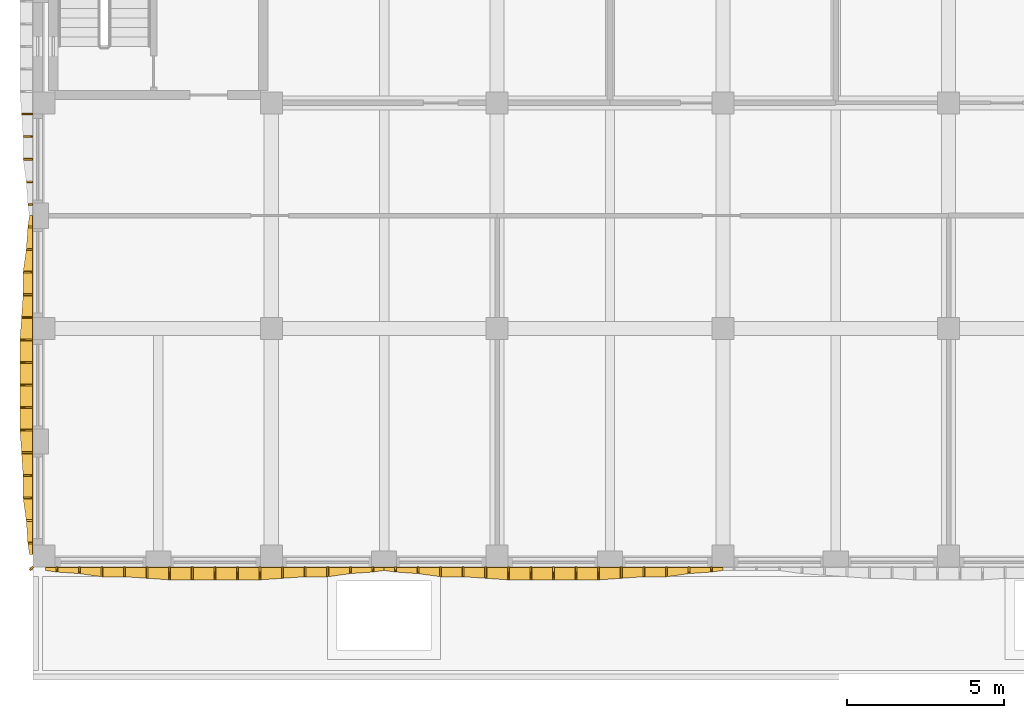
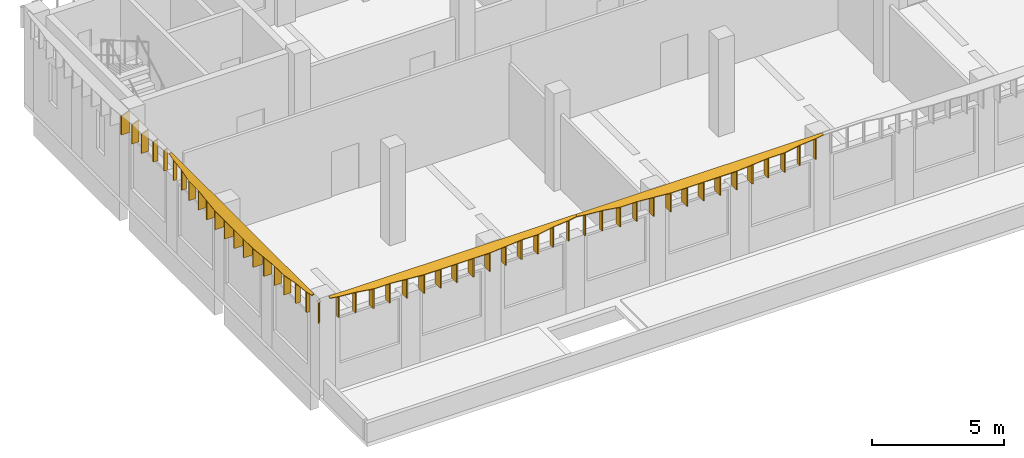
# One storey, part 44 of 59: 54 shading devices.
"""IFC4 building model written with IfcOpenShell, lengths in metres."""

from ifc_helpers import new_model, si_unit, direction, frame, origin, place, context, subcontext, project, spatial, polyline, outline, extrude, material, layer, layer_set, type_object, element, save


model = new_model("IFC4")

# Units and contexts
model_context = context("Model", 3, precision=1e-05, world=origin(), true_north=direction((0.0, 1.0)))
body_context = subcontext(model_context, "Body", "Model", "MODEL_VIEW")
ifc_project = project(units=[si_unit("LENGTHUNIT", "METRE"), si_unit("AREAUNIT", "SQUARE_METRE"), si_unit("VOLUMEUNIT", "CUBIC_METRE"), si_unit("PLANEANGLEUNIT", "RADIAN"), si_unit("MASSUNIT", "GRAM", prefix="KILO")], contexts=[model_context])

# Site, building, storey
site_placement = place(None, origin())
site = spatial("IfcSite", under=ifc_project, at=site_placement, CompositionType="ELEMENT")
building_placement = place(site_placement, origin())
building = spatial("IfcBuilding", under=site, at=building_placement, Name="Ussher Court Research Institute", CompositionType="ELEMENT")
storey_placement = place(building_placement, frame((0.0, 0.0, 5.39990234375)))
storey = spatial("IfcBuildingStorey", under=building, at=storey_placement, Name="L01", CompositionType="ELEMENT", Elevation=5.39990234375)

# Shading devices
ifc_material_1 = material(Name="Bronze anodised aluminium", Category="aluminium")
ifc_layer_1 = layer(ifc_material_1, 0.050048828125)
ifc_layer_set_1 = layer_set([ifc_layer_1], Name="Bronze anodised aluminium")
shading_device_type_1 = type_object("IfcShadingDeviceType", Name="Brim blade 150 mm deep 1000 mm high canted 20 deg dry", PredefinedType="USERDEFINED", material=ifc_layer_set_1)
for number, where, z_axis, x_axis, name in (
    (1, (24.239990234375, 68.39990234375, 3.4501953125), (0.0, 0.0, 1.0), (0.0, -1.0, 0.0), "Brim blade BS16 L01"),
    (2, (14.159912109375, 68.39990234375, 3.4501953125), (0.0, 0.0, 1.0), (0.0, -1.0, 0.0), "Brim blade BS16 L01"),
    (3, (13.43994140625, 68.39990234375, 3.4501953125), (0.0, 0.0, 1.0), (0.0, -1.0, 0.0), "Brim blade BS16 L01"),
    (4, (3.360107421875, 68.39990234375, 3.4501953125), (0.0, 0.0, 1.0), (0.0, -1.0, 0.0), "Brim blade BS16 L01"),
):
    element("IfcShadingDevice", number, at=place(storey_placement, frame(where, z_axis=z_axis, x_axis=x_axis)), inside=storey, type_object=shading_device_type_1, Name=name, ObjectType="BLADE", PredefinedType="USERDEFINED", context=body_context, shape_type="SweptSolid", body=[
        extrude(outline(polyline([(0.0, 0.0), (0.14990234375, 0.0), (0.14990234375, 0.9453125), (0.0, 1.0), (0.0, 0.0)])), frame((0.0, 0.02490234375, 0.0), z_axis=(0.0, -1.0, 0.0), x_axis=(1.0, 0.0, 0.0)), (0.0, 0.0, 1.0), 0.050048828125),
    ])
for number, where, z_axis, x_axis, name in (
    (5, (2.60009765625, 69.159912109375, 3.4501953125), (0.0, 0.0, 1.0), (-1.0, 0.0, 0.0), "Brim blade BS16 L01"),
    (6, (2.60009765625, 79.239990234375, 3.4501953125), (0.0, 0.0, 1.0), (-1.0, 0.0, 0.0), "Brim blade BS16 L01"),
    (7, (2.60009765625, 79.9599609375, 3.4501953125), (0.0, 0.0, 1.0), (-1.0, 0.0, 0.0), "Brim blade BS16 L01"),
):
    element("IfcShadingDevice", number, at=place(storey_placement, frame(where, z_axis=z_axis, x_axis=x_axis)), inside=storey, type_object=shading_device_type_1, Name=name, ObjectType="BLADE", PredefinedType="USERDEFINED", context=body_context, shape_type="SweptSolid", body=[
        extrude(outline(polyline([(0.0, 0.0), (0.150146484375, 0.0), (0.14990234375, 0.9453125), (0.0, 1.0), (0.0, 0.0)])), frame((0.0, 0.02490234375, 0.0), z_axis=(0.0, -1.0, 0.0), x_axis=(1.0, 0.0, 0.0)), (0.0, 0.0, 1.0), 0.050048828125),
    ])
ifc_material_2 = material(Name="Bronze anodised aluminium", Category="aluminium")
ifc_layer_2 = layer(ifc_material_2, 0.050048828125)
ifc_layer_set_2 = layer_set([ifc_layer_2], Name="Bronze anodised aluminium")
shading_device_type_2 = type_object("IfcShadingDeviceType", Name="Brim blade 200 mm deep 1000 mm high canted 20 deg dry", PredefinedType="USERDEFINED", material=ifc_layer_set_2)
for number, where, z_axis, x_axis, name in (
    (8, (23.52001953125, 68.39990234375, 3.4501953125), (0.0, 0.0, 1.0), (0.0, -1.0, 0.0), "Brim blade BS15 L01"),
    (9, (14.8798828125, 68.39990234375, 3.4501953125), (0.0, 0.0, 1.0), (0.0, -1.0, 0.0), "Brim blade BS15 L01"),
    (10, (12.719970703125, 68.39990234375, 3.4501953125), (0.0, 0.0, 1.0), (0.0, -1.0, 0.0), "Brim blade BS15 L01"),
    (11, (4.080078125, 68.39990234375, 3.4501953125), (0.0, 0.0, 1.0), (0.0, -1.0, 0.0), "Brim blade BS15 L01"),
):
    element("IfcShadingDevice", number, at=place(storey_placement, frame(where, z_axis=z_axis, x_axis=x_axis)), inside=storey, type_object=shading_device_type_2, Name=name, ObjectType="BLADE", PredefinedType="USERDEFINED", context=body_context, shape_type="SweptSolid", body=[
        extrude(outline(polyline([(0.0, 0.0), (0.199951171875, 0.0), (0.199951171875, 0.927001953125), (0.0, 1.0), (0.0, 0.0)])), frame((0.0, 0.02490234375, 0.0), z_axis=(0.0, -1.0, 0.0), x_axis=(1.0, 0.0, 0.0)), (0.0, 0.0, 1.0), 0.050048828125),
    ])
for number, where, z_axis, x_axis, name in (
    (12, (2.60009765625, 69.8798828125, 3.4501953125), (0.0, 0.0, 1.0), (-1.0, 0.0, 0.0), "Brim blade BS15 L01"),
    (13, (2.60009765625, 78.52001953125, 3.4501953125), (0.0, 0.0, 1.0), (-1.0, 0.0, 0.0), "Brim blade BS15 L01"),
    (14, (2.60009765625, 80.679931640625, 3.4501953125), (0.0, 0.0, 1.0), (-1.0, 0.0, 0.0), "Brim blade BS15 L01"),
):
    element("IfcShadingDevice", number, at=place(storey_placement, frame(where, z_axis=z_axis, x_axis=x_axis)), inside=storey, type_object=shading_device_type_2, Name=name, ObjectType="BLADE", PredefinedType="USERDEFINED", context=body_context, shape_type="SweptSolid", body=[
        extrude(outline(polyline([(0.0, 0.0), (0.2001953125, 0.0), (0.199951171875, 0.927001953125), (0.0, 1.0), (0.0, 0.0)])), frame((0.0, 0.02490234375, 0.0), z_axis=(0.0, -1.0, 0.0), x_axis=(1.0, 0.0, 0.0)), (0.0, 0.0, 1.0), 0.050048828125),
    ])
ifc_material_3 = material(Name="Bronze anodised aluminium", Category="aluminium")
ifc_layer_3 = layer(ifc_material_3, 0.050048828125)
ifc_layer_set_3 = layer_set([ifc_layer_3], Name="Bronze anodised aluminium")
shading_device_type_3 = type_object("IfcShadingDeviceType", Name="Brim blade 300 mm deep 1000 mm high canted 20 deg dry", PredefinedType="USERDEFINED", material=ifc_layer_set_3)
for number, where, z_axis, x_axis, name in (
    (15, (22.800048828125, 68.39990234375, 3.4501953125), (0.0, 0.0, 1.0), (0.0, -1.0, 0.0), "Brim blade BS13 L01"),
    (16, (22.080078125, 68.39990234375, 3.4501953125), (0.0, 0.0, 1.0), (0.0, -1.0, 0.0), "Brim blade BS13 L01"),
    (17, (16.320068359375, 68.39990234375, 3.4501953125), (0.0, 0.0, 1.0), (0.0, -1.0, 0.0), "Brim blade BS13 L01"),
    (18, (15.60009765625, 68.39990234375, 3.4501953125), (0.0, 0.0, 1.0), (0.0, -1.0, 0.0), "Brim blade BS13 L01"),
    (19, (12.0, 68.39990234375, 3.4501953125), (0.0, 0.0, 1.0), (0.0, -1.0, 0.0), "Brim blade BS13 L01"),
    (20, (11.280029296875, 68.39990234375, 3.4501953125), (0.0, 0.0, 1.0), (0.0, -1.0, 0.0), "Brim blade BS13 L01"),
    (21, (5.52001953125, 68.39990234375, 3.4501953125), (0.0, 0.0, 1.0), (0.0, -1.0, 0.0), "Brim blade BS13 L01"),
    (22, (4.800048828125, 68.39990234375, 3.4501953125), (0.0, 0.0, 1.0), (0.0, -1.0, 0.0), "Brim blade BS13 L01"),
):
    element("IfcShadingDevice", number, at=place(storey_placement, frame(where, z_axis=z_axis, x_axis=x_axis)), inside=storey, type_object=shading_device_type_3, Name=name, ObjectType="BLADE", PredefinedType="USERDEFINED", context=body_context, shape_type="SweptSolid", body=[
        extrude(outline(polyline([(0.0, 0.0), (0.2998046875, 0.0), (0.300048828125, 0.890625), (0.0, 1.0), (0.0, 0.0)])), frame((0.0, 0.02490234375, 0.0), z_axis=(0.0, -1.0, 0.0), x_axis=(1.0, 0.0, 0.0)), (0.0, 0.0, 1.0), 0.050048828125),
    ])
for number, where, z_axis, x_axis, name in (
    (23, (2.60009765625, 70.60009765625, 3.4501953125), (0.0, 0.0, 1.0), (-1.0, 0.0, 0.0), "Brim blade BS13 L01"),
    (24, (2.60009765625, 71.320068359375, 3.4501953125), (0.0, 0.0, 1.0), (-1.0, 0.0, 0.0), "Brim blade BS13 L01"),
    (25, (2.60009765625, 77.080078125, 3.4501953125), (0.0, 0.0, 1.0), (-1.0, 0.0, 0.0), "Brim blade BS13 L01"),
    (26, (2.60009765625, 77.800048828125, 3.4501953125), (0.0, 0.0, 1.0), (-1.0, 0.0, 0.0), "Brim blade BS13 L01"),
    (27, (2.60009765625, 81.39990234375, 3.4501953125), (0.0, 0.0, 1.0), (-1.0, 0.0, 0.0), "Brim blade BS13 L01"),
    (28, (2.60009765625, 82.1201171875, 3.4501953125), (0.0, 0.0, 1.0), (-1.0, 0.0, 0.0), "Brim blade BS13 L01"),
):
    element("IfcShadingDevice", number, at=place(storey_placement, frame(where, z_axis=z_axis, x_axis=x_axis)), inside=storey, type_object=shading_device_type_3, Name=name, ObjectType="BLADE", PredefinedType="USERDEFINED", context=body_context, shape_type="SweptSolid", body=[
        extrude(outline(polyline([(0.0, 0.0), (0.300048828125, 0.0), (0.300048828125, 0.890625), (0.0, 1.0), (0.0, 0.0)])), frame((0.0, 0.02490234375, 0.0), z_axis=(0.0, -1.0, 0.0), x_axis=(1.0, 0.0, 0.0)), (0.0, 0.0, 1.0), 0.050048828125),
    ])
ifc_material_4 = material(Name="Bronze anodised aluminium", Category="aluminium")
ifc_layer_4 = layer(ifc_material_4, 0.050048828125)
ifc_layer_set_4 = layer_set([ifc_layer_4], Name="Bronze anodised aluminium")
shading_device_type_4 = type_object("IfcShadingDeviceType", Name="Brim blade 350 mm deep 1000 mm high canted 20 deg dry", PredefinedType="USERDEFINED", material=ifc_layer_set_4)
for number, where, z_axis, x_axis, name in (
    (29, (21.360107421875, 68.39990234375, 3.4501953125), (0.0, 0.0, 1.0), (0.0, -1.0, 0.0), "Brim blade BS12 L01"),
    (30, (17.0400390625, 68.39990234375, 3.4501953125), (0.0, 0.0, 1.0), (0.0, -1.0, 0.0), "Brim blade BS12 L01"),
    (31, (10.56005859375, 68.39990234375, 3.4501953125), (0.0, 0.0, 1.0), (0.0, -1.0, 0.0), "Brim blade BS12 L01"),
    (32, (6.239990234375, 68.39990234375, 3.4501953125), (0.0, 0.0, 1.0), (0.0, -1.0, 0.0), "Brim blade BS12 L01"),
):
    element("IfcShadingDevice", number, at=place(storey_placement, frame(where, z_axis=z_axis, x_axis=x_axis)), inside=storey, type_object=shading_device_type_4, Name=name, ObjectType="BLADE", PredefinedType="USERDEFINED", context=body_context, shape_type="SweptSolid", body=[
        extrude(outline(polyline([(0.0, 0.0), (0.349853515625, 0.0), (0.35009765625, 0.87255859375), (0.0, 1.0), (0.0, 0.0)])), frame((0.0, 0.02490234375, 0.0), z_axis=(0.0, -1.0, 0.0), x_axis=(1.0, 0.0, 0.0)), (0.0, 0.0, 1.0), 0.050048828125),
    ])
for number, where, z_axis, x_axis, name in (
    (33, (2.60009765625, 72.0400390625, 3.4501953125), (0.0, 0.0, 1.0), (-1.0, 0.0, 0.0), "Brim blade BS12 L01"),
    (34, (2.60009765625, 76.360107421875, 3.4501953125), (0.0, 0.0, 1.0), (-1.0, 0.0, 0.0), "Brim blade BS12 L01"),
    (35, (2.60009765625, 82.840087890625, 3.4501953125), (0.0, 0.0, 1.0), (-1.0, 0.0, 0.0), "Brim blade BS12 L01"),
):
    element("IfcShadingDevice", number, at=place(storey_placement, frame(where, z_axis=z_axis, x_axis=x_axis)), inside=storey, type_object=shading_device_type_4, Name=name, ObjectType="BLADE", PredefinedType="USERDEFINED", context=body_context, shape_type="SweptSolid", body=[
        extrude(outline(polyline([(0.0, 0.0), (0.35009765625, 0.0), (0.35009765625, 0.87255859375), (0.0, 1.0), (0.0, 0.0)])), frame((0.0, 0.02490234375, 0.0), z_axis=(0.0, -1.0, 0.0), x_axis=(1.0, 0.0, 0.0)), (0.0, 0.0, 1.0), 0.050048828125),
    ])
ifc_material_5 = material(Name="Bronze anodised aluminium", Category="aluminium")
ifc_layer_5 = layer(ifc_material_5, 0.050048828125)
ifc_layer_set_5 = layer_set([ifc_layer_5], Name="Bronze anodised aluminium")
shading_device_type_5 = type_object("IfcShadingDeviceType", Name="Brim blade 400 mm deep 1000 mm high canted 20 deg dry", PredefinedType="USERDEFINED", material=ifc_layer_set_5)
for number, where, z_axis, x_axis, name in (
    (36, (20.639892578125, 68.39990234375, 3.4501953125), (0.0, 0.0, 1.0), (0.0, -1.0, 0.0), "Brim blade BS11 L01"),
    (37, (19.919921875, 68.39990234375, 3.4501953125), (0.0, 0.0, 1.0), (0.0, -1.0, 0.0), "Brim blade BS11 L01"),
    (38, (19.199951171875, 68.39990234375, 3.4501953125), (0.0, 0.0, 1.0), (0.0, -1.0, 0.0), "Brim blade BS11 L01"),
    (39, (18.47998046875, 68.39990234375, 3.4501953125), (0.0, 0.0, 1.0), (0.0, -1.0, 0.0), "Brim blade BS11 L01"),
    (40, (17.760009765625, 68.39990234375, 3.4501953125), (0.0, 0.0, 1.0), (0.0, -1.0, 0.0), "Brim blade BS11 L01"),
    (41, (9.840087890625, 68.39990234375, 3.4501953125), (0.0, 0.0, 1.0), (0.0, -1.0, 0.0), "Brim blade BS11 L01"),
    (42, (9.1201171875, 68.39990234375, 3.4501953125), (0.0, 0.0, 1.0), (0.0, -1.0, 0.0), "Brim blade BS11 L01"),
    (43, (8.39990234375, 68.39990234375, 3.4501953125), (0.0, 0.0, 1.0), (0.0, -1.0, 0.0), "Brim blade BS11 L01"),
    (44, (7.679931640625, 68.39990234375, 3.4501953125), (0.0, 0.0, 1.0), (0.0, -1.0, 0.0), "Brim blade BS11 L01"),
    (45, (6.9599609375, 68.39990234375, 3.4501953125), (0.0, 0.0, 1.0), (0.0, -1.0, 0.0), "Brim blade BS11 L01"),
):
    element("IfcShadingDevice", number, at=place(storey_placement, frame(where, z_axis=z_axis, x_axis=x_axis)), inside=storey, type_object=shading_device_type_5, Name=name, ObjectType="BLADE", PredefinedType="USERDEFINED", context=body_context, shape_type="SweptSolid", body=[
        extrude(outline(polyline([(0.0, 0.0), (0.39990234375, 0.0), (0.39990234375, 0.854248046875), (0.0, 1.0), (0.0, 0.0)])), frame((0.0, 0.02490234375, 0.0), z_axis=(0.0, -1.0, 0.0), x_axis=(1.0, 0.0, 0.0)), (0.0, 0.0, 1.0), 0.050048828125),
    ])
for number, where, z_axis, x_axis, name in (
    (46, (2.60009765625, 72.760009765625, 3.4501953125), (0.0, 0.0, 1.0), (-1.0, 0.0, 0.0), "Brim blade BS11 L01"),
    (47, (2.60009765625, 73.47998046875, 3.4501953125), (0.0, 0.0, 1.0), (-1.0, 0.0, 0.0), "Brim blade BS11 L01"),
    (48, (2.60009765625, 74.199951171875, 3.4501953125), (0.0, 0.0, 1.0), (-1.0, 0.0, 0.0), "Brim blade BS11 L01"),
    (49, (2.60009765625, 74.919921875, 3.4501953125), (0.0, 0.0, 1.0), (-1.0, 0.0, 0.0), "Brim blade BS11 L01"),
    (50, (2.60009765625, 75.639892578125, 3.4501953125), (0.0, 0.0, 1.0), (-1.0, 0.0, 0.0), "Brim blade BS11 L01"),
):
    element("IfcShadingDevice", number, at=place(storey_placement, frame(where, z_axis=z_axis, x_axis=x_axis)), inside=storey, type_object=shading_device_type_5, Name=name, ObjectType="BLADE", PredefinedType="USERDEFINED", context=body_context, shape_type="SweptSolid", body=[
        extrude(outline(polyline([(0.0, 0.0), (0.400146484375, 0.0), (0.39990234375, 0.854248046875), (0.0, 1.0), (0.0, 0.0)])), frame((0.0, 0.02490234375, 0.0), z_axis=(0.0, -1.0, 0.0), x_axis=(1.0, 0.0, 0.0)), (0.0, 0.0, 1.0), 0.050048828125),
    ])
ifc_material_6 = material(Name="Bronze anodised aluminium", Category="aluminium")
ifc_layer_6 = layer(ifc_material_6, 0.050048828125)
ifc_layer_set_6 = layer_set([ifc_layer_6], Name="Bronze anodised aluminium")
shading_device_type_6 = type_object("IfcShadingDeviceType", Name="Brim mitre blade 100 mm deep 1000 mm high canted 20 deg dry", PredefinedType="USERDEFINED", material=ifc_layer_set_6)
shading_device_1_placement = place(storey_placement, frame((2.60009765625, 68.39990234375, 3.4501953125), z_axis=(0.0, 0.0, 1.0), x_axis=(-0.707969631694, -0.706242876495, 0.0)))
element("IfcShadingDevice", 51, at=shading_device_1_placement, inside=storey, type_object=shading_device_type_6, Name="Brim mitre blade BS19 L01", ObjectType="BLADE", PredefinedType="USERDEFINED", context=body_context, shape_type="SweptSolid", body=[
    extrude(outline(polyline([(0.0, 0.0), (0.141357421875, 0.0), (0.141357421875, 0.927001953125), (0.0, 1.0), (0.0, 0.0)])), frame((0.0, 0.02490234375, 0.0), z_axis=(0.0, -1.0, 0.0), x_axis=(1.0, 0.0, 0.0)), (0.0, 0.0, 1.0), 0.050048828125),
])
ifc_material_7 = material(Name="Bronze anodised aluminium", Category="aluminium")
ifc_layer_7 = layer(ifc_material_7, 0.0400390625)
ifc_layer_set_7 = layer_set([ifc_layer_7], Name="Bronze anodised aluminium")
shading_device_type_7 = type_object("IfcShadingDeviceType", Name="Brim visor sheet 40 mm canted 20 deg dry", PredefinedType="USERDEFINED", material=ifc_layer_set_7)
shading_device_2_placement = place(storey_placement, frame((24.60009765625, 68.38623046875, 4.48779296875), z_axis=(0.0, -0.34247777449, 0.939525930446), x_axis=(-1.0, 0.0, 0.0)))
element("IfcShadingDevice", 52, at=shading_device_2_placement, inside=storey, type_object=shading_device_type_7, Name="Brim visor sheet BR2 L01", ObjectType="BRIM", PredefinedType="USERDEFINED", context=body_context, shape_type="SweptSolid", body=[
    extrude(outline(polyline([(0.0, 0.0), (10.800048828125, 0.0), (10.800048828125, 0.10627326512485698), (10.440185546875, 0.15956639228017316), (9.72021484375, 0.21285951943548934), (9.0, 0.31936216100820913), (8.280029296875, 0.31936216100820913), (7.56005859375, 0.37234229897774984), (6.840087890625, 0.42563542613306604), (6.1201171875, 0.42563542613306604), (5.400146484375, 0.42563542613306604), (4.68017578125, 0.42563542613306604), (3.960205078125, 0.42563542613306604), (3.239990234375, 0.37234229897774984), (2.52001953125, 0.31936216100820913), (1.800048828125, 0.31936216100820913), (1.080078125, 0.21285951943548934), (0.360107421875, 0.15956639228017316), (0.0, 0.10627326512485698), (0.0, 0.0)])), origin(), (0.0, 0.0, -1.0), 0.0400390625),
])
shading_device_3_placement = place(storey_placement, frame((13.800048828125, 68.38623046875, 4.48779296875), z_axis=(0.0, -0.342477773799, 0.939525930698), x_axis=(-1.0, 0.0, 0.0)))
element("IfcShadingDevice", 53, at=shading_device_3_placement, inside=storey, type_object=shading_device_type_7, Name="Brim visor sheet BR2 L01", ObjectType="BRIM", PredefinedType="USERDEFINED", context=body_context, shape_type="SweptSolid", body=[
    extrude(outline(polyline([(0.0, 0.0), (10.800048828125, 0.0), (10.800048828125, 0.10627326512487205), (10.43994140625, 0.1595663922801422), (9.719970703125, 0.21285951943541234), (9.0, 0.31936216100820863), (8.280029296875, 0.31936216100820863), (7.56005859375, 0.37234229897781057), (6.840087890625, 0.4256354261330807), (6.1201171875, 0.4256354261330807), (5.400146484375, 0.4256354261330807), (4.679931640625, 0.4256354261330807), (3.9599609375, 0.4256354261330807), (3.239990234375, 0.37234229897781057), (2.52001953125, 0.31936216100820863), (1.800048828125, 0.31936216100820863), (1.080078125, 0.21285951943541234), (0.360107421875, 0.1595663922801422), (0.0, 0.10627326512487205), (0.0, 0.0)])), origin(), (0.0, 0.0, -1.0), 0.0400390625),
])
shading_device_4_placement = place(storey_placement, frame((2.586181640625, 68.800048828125, 4.48779296875), z_axis=(-0.342542327923, 0.0, 0.939502396794), x_axis=(0.0, 1.0, 0.0)))
element("IfcShadingDevice", 54, at=shading_device_4_placement, inside=storey, type_object=shading_device_type_7, Name="Brim visor sheet BR2 L01", ObjectType="BRIM", PredefinedType="USERDEFINED", context=body_context, shape_type="SweptSolid", body=[
    extrude(outline(polyline([(0.0, 0.0), (10.800048828125, 0.0), (10.800048828125, 0.10627326346414724), (10.43994140625, 0.159566394796406), (9.719970703125, 0.2128595261286647), (9.0, 0.319132789592812), (8.280029296875, 0.319132789592812), (7.56005859375, 0.37234229242704264), (6.83984375, 0.4256354237593014), (6.119873046875, 0.4256354237593014), (5.39990234375, 0.4256354237593014), (4.679931640625, 0.4256354237593014), (3.9599609375, 0.4256354237593014), (3.239990234375, 0.37234229242704264), (2.52001953125, 0.319132789592812), (1.800048828125, 0.319132789592812), (1.079833984375, 0.2128595261286647), (0.35986328125, 0.159566394796406), (0.0, 0.10627326346414724), (0.0, 0.0)])), origin(), (0.0, 0.0, -1.0), 0.0400390625),
])

save(model, "model.ifc")
